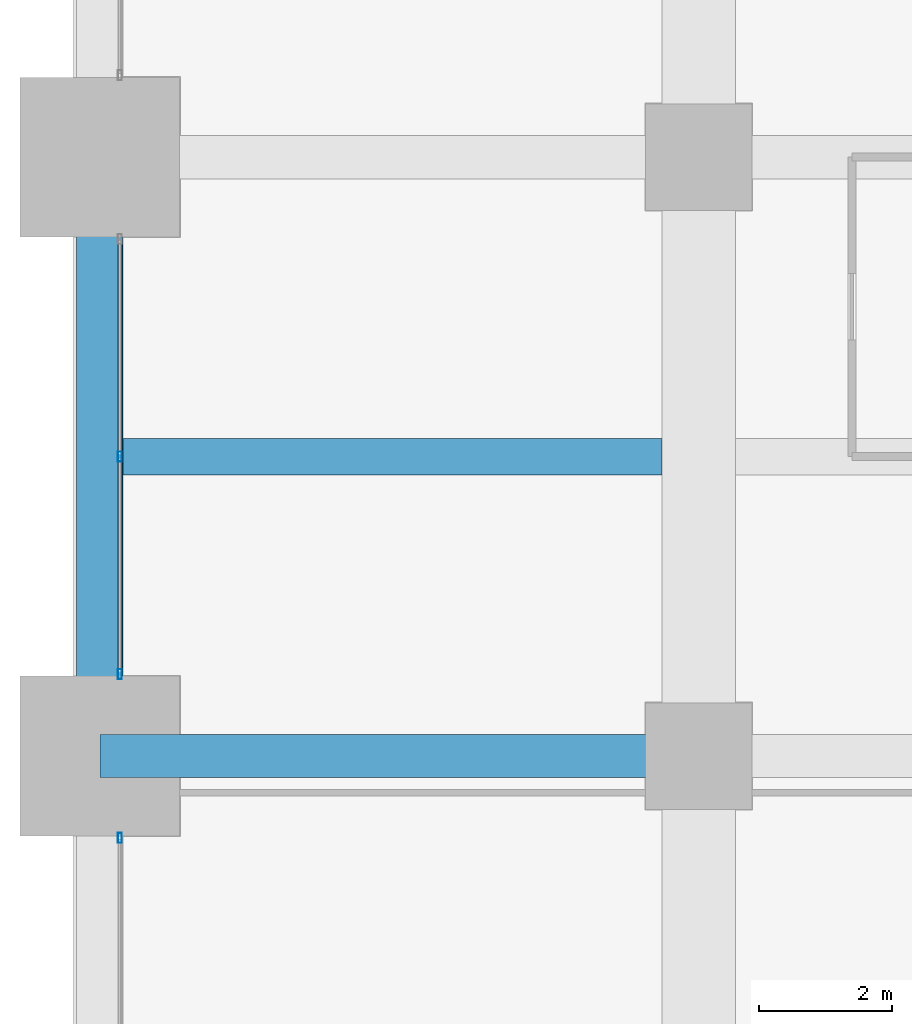
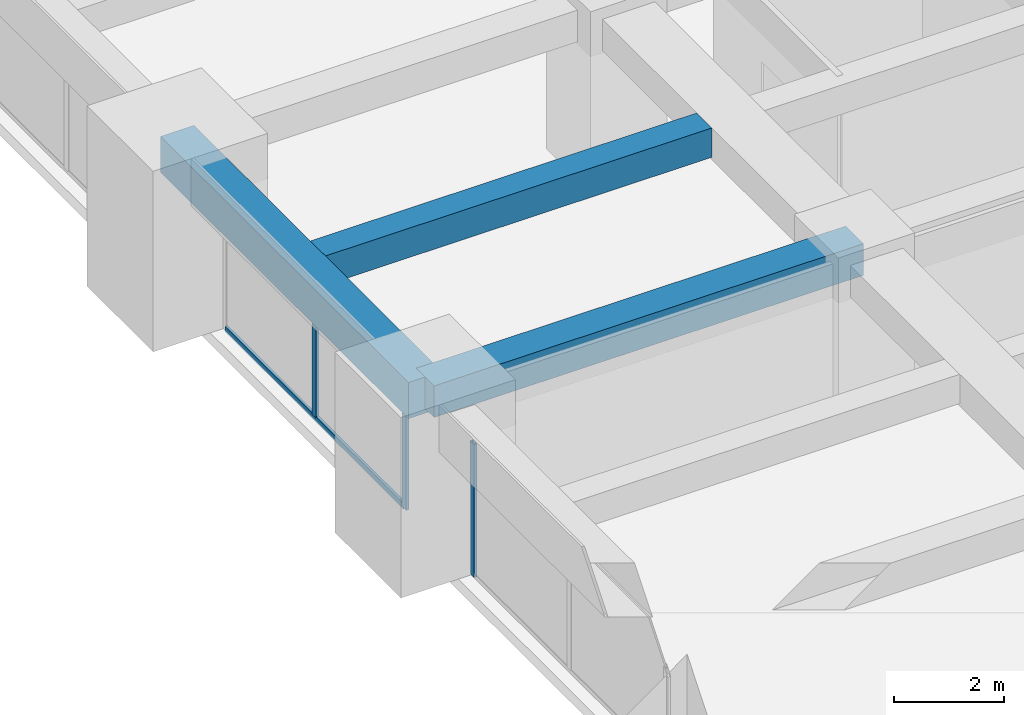
# One storey, part 9 of 34: 4 members, 3 beams, 2 elements without a shape of their own.
"""IFC4 building model written with IfcOpenShell, lengths in metres."""

import ifcopenshell
import ifcopenshell.guid

model = None  # the IFC model being written
_history = None  # IfcOwnerHistory: only IFC2X3 demands one
_inside = {}  # id of a spatial element -> (the spatial element, [elements in it])
_under = {}  # id of a project, library or spatial element -> (it, [spatial elements below it])
_declared = {}  # id of a project -> (the project, [libraries it declares])
_typed = {}  # id of a type object -> (the type object, [elements of that type])
_made_of = {}  # id of a material, layer set ... -> (it, [elements and type objects made of it])


def new_model(schema):
    """Start an empty IFC model of exactly this schema.

    Asked for "IFC4X3", IfcOpenShell would pick the latest addendum, in which some entities
    have other attributes; the version numbers below select the first issue.
    IFC2X3 requires an IfcOwnerHistory on every rooted entity: one is made here for all.
    """
    global model, _history
    if schema == "IFC4X3":
        model = ifcopenshell.file(schema_version=(4, 3, 0, 0))
    else:
        model = ifcopenshell.file(schema=schema)
    _inside.clear()
    _under.clear()
    _declared.clear()
    _typed.clear()
    _made_of.clear()
    _history = None
    if model.schema == "IFC2X3":
        org = make("IfcOrganization", Name="unknown")
        user = make(
            "IfcPersonAndOrganization",
            ThePerson=make("IfcPerson", FamilyName="unknown"),
            TheOrganization=org,
        )
        app = make(
            "IfcApplication",
            ApplicationDeveloper=org,
            Version="unknown",
            ApplicationFullName="unknown",
            ApplicationIdentifier="unknown",
        )
        _history = make(
            "IfcOwnerHistory",
            OwningUser=user,
            OwningApplication=app,
            ChangeAction="ADDED",
            CreationDate=0,
        )
    return model


def make(cls, **values):
    """One entity of the class cls with the attributes given. An attribute that is None is left unset."""
    return model.create_entity(
        cls, **{name: value for name, value in values.items() if value is not None}
    )


def rooted(cls, **values):
    """An entity with a GlobalId (a new one), such as an element, a storey or a relation."""
    return make(cls, GlobalId=ifcopenshell.guid.new(), OwnerHistory=_history, **values)


def si_unit(unit_type, name, prefix=None):
    """IfcSIUnit, for example si_unit("LENGTHUNIT", "METRE", prefix="MILLI")."""
    return make("IfcSIUnit", UnitType=unit_type, Prefix=prefix, Name=name)


def assignment(units):
    """IfcUnitAssignment: the units of a project."""
    return None if units is None else make("IfcUnitAssignment", Units=units)


def point(xyz):
    """IfcCartesianPoint."""
    return None if xyz is None else make("IfcCartesianPoint", Coordinates=xyz)


def direction(xyz):
    """IfcDirection."""
    return None if xyz is None else make("IfcDirection", DirectionRatios=xyz)


def frame(location, z_axis=None, x_axis=None):
    """IfcAxis2Placement3D, a coordinate frame: its origin and axes. An axis left out is left unset."""
    return make(
        "IfcAxis2Placement3D",
        Location=point(location),
        Axis=direction(z_axis),
        RefDirection=direction(x_axis),
    )


def frame_2d(location, x_axis=None):
    """IfcAxis2Placement2D, a coordinate frame in the plane: its origin and x axis."""
    return make(
        "IfcAxis2Placement2D", Location=point(location), RefDirection=direction(x_axis)
    )


def origin():
    """The frame at (0, 0, 0) with its axes left unset."""
    return frame((0.0, 0.0, 0.0))


def origin_2d():
    """The frame at (0, 0) in the plane with its x axis left unset."""
    return frame_2d((0.0, 0.0))


def place(relative_to, where):
    """IfcLocalPlacement: puts the frame where relative to a parent placement (None: the world)."""
    return make(
        "IfcLocalPlacement", PlacementRelTo=relative_to, RelativePlacement=where
    )


def context(
    kind, dimensions, precision=None, world=None, true_north=None, identifier=None
):
    """IfcGeometricRepresentationContext, for example the 3D "Model" context."""
    return make(
        "IfcGeometricRepresentationContext",
        ContextIdentifier=identifier,
        ContextType=kind,
        CoordinateSpaceDimension=dimensions,
        Precision=precision,
        WorldCoordinateSystem=world,
        TrueNorth=true_north,
    )


def subcontext(parent, identifier, kind, view, scale=None):
    """IfcGeometricRepresentationSubContext, for example "Body" below "Model"."""
    return make(
        "IfcGeometricRepresentationSubContext",
        ContextIdentifier=identifier,
        ContextType=kind,
        ParentContext=parent,
        TargetScale=scale,
        TargetView=view,
    )


def project(units=None, contexts=None):
    """IfcProject with its units and contexts."""
    return rooted(
        "IfcProject",
        Name="project",
        RepresentationContexts=contexts,
        UnitsInContext=assignment(units),
    )


def spatial(cls, under=None, at=None, **own):
    """A site, building, storey or space (cls), placed at a placement, below another one or the project."""
    s = rooted(cls, ObjectPlacement=at, **own)
    if under is not None:
        _under.setdefault(under.id(), (under, []))[1].append(s)
    return s


def profile(cls, at=None, kind="AREA", **sizes):
    """A parametric profile (cls). Its sizes go by their IFC names, for example OverallWidth=200.0."""
    return make(cls, ProfileType=kind, Position=at, **sizes)


def rectangle(**sizes):
    """IfcRectangleProfileDef."""
    return profile("IfcRectangleProfileDef", **sizes)


def hollow_rectangle(**sizes):
    """IfcRectangleHollowProfileDef."""
    return profile("IfcRectangleHollowProfileDef", **sizes)


def extrude(swept, where, along, depth):
    """IfcExtrudedAreaSolid: the profile swept, set in the frame where, extruded along a direction by depth."""
    return make(
        "IfcExtrudedAreaSolid",
        SweptArea=swept,
        Position=where,
        ExtrudedDirection=direction(along),
        Depth=depth,
    )


def shape(context_of_items, identifier, shape_type, items):
    """IfcShapeRepresentation: the items that make up one representation, for example the "Body"."""
    return make(
        "IfcShapeRepresentation",
        ContextOfItems=context_of_items,
        RepresentationIdentifier=identifier,
        RepresentationType=shape_type,
        Items=items,
    )


def material(Name=None, Category=None):
    """IfcMaterial."""
    return make("IfcMaterial", Name=Name, Category=Category)


def material_profile(
    of_material, cross_section, Name=None, Category=None, Priority=None
):
    """IfcMaterialProfile: a cross section and its material."""
    return make(
        "IfcMaterialProfile",
        Name=Name,
        Material=of_material,
        Profile=cross_section,
        Priority=Priority,
        Category=Category,
    )


def profile_set(profiles, Name=None, composite=None):
    """IfcMaterialProfileSet."""
    return make(
        "IfcMaterialProfileSet",
        Name=Name,
        MaterialProfiles=profiles,
        CompositeProfile=composite,
    )


def made_of(thing, what):
    """Note that an element or type object is made of a material, layer set ...; save() writes the relation."""
    if what is not None:
        _made_of.setdefault(what.id(), (what, []))[1].append(thing)
    return thing


def type_object(cls, material=None, **own):
    """A type object (cls), such as IfcWallType, which elements share."""
    return made_of(rooted(cls, **own), material)


def element(
    cls,
    number,
    at=None,
    inside=None,
    cuts=None,
    type_object=None,
    material=None,
    context=None,
    identifier="Body",
    shape_type=None,
    held_by="IfcProductDefinitionShape",
    body=None,
    shapes=None,
    **own,
):
    """One element of the class cls, such as IfcWall. Its Tag is "e" and its number.

    at: its placement. inside: the storey or other place that contains it. cuts: it is an
    opening in that element (IfcRelVoidsElement). A single representation is given by context,
    identifier, shape_type and body (its items); several are given by shapes. held_by: the class
    of the entity that holds the representations. save() writes the other relations.
    """
    e = rooted(cls, Tag="e%d" % number, ObjectPlacement=at, **own)
    if body is not None:
        shapes = [shape(context, identifier, shape_type, body)]
    if shapes is not None:
        e.Representation = make(held_by, Representations=shapes)
    if inside is not None:
        _inside.setdefault(inside.id(), (inside, []))[1].append(e)
    if cuts is not None:
        rooted(
            "IfcRelVoidsElement", RelatingBuildingElement=cuts, RelatedOpeningElement=e
        )
    if type_object is not None:
        _typed.setdefault(type_object.id(), (type_object, []))[1].append(e)
    return made_of(e, material)


def aggregate(whole, parts):
    """IfcRelAggregates: a whole, such as a stair, and the parts it consists of."""
    return rooted("IfcRelAggregates", RelatingObject=whole, RelatedObjects=parts)


def save(model, path):
    """Write the relations noted so far, then the file.

    IfcRelAggregates (storeys below a building ...), IfcRelContainedInSpatialStructure (elements
    in a storey), IfcRelDefinesByType, IfcRelAssociatesMaterial and IfcRelDeclares: one each for
    every whole, place, type object, material and project.
    """
    for whole, parts in _under.values():
        aggregate(whole, parts)
    for where, things in _inside.values():
        rooted(
            "IfcRelContainedInSpatialStructure",
            RelatedElements=things,
            RelatingStructure=where,
        )
    for kind, things in _typed.values():
        rooted("IfcRelDefinesByType", RelatedObjects=things, RelatingType=kind)
    for what, things in _made_of.values():
        rooted("IfcRelAssociatesMaterial", RelatedObjects=things, RelatingMaterial=what)
    for by, libraries in _declared.values():
        rooted("IfcRelDeclares", RelatingContext=by, RelatedDefinitions=libraries)
    model.write(path)


model = new_model("IFC4")

# Units and contexts
model_context = context("Model", 3, precision=1e-05, world=origin(), true_north=direction((0.0, 1.0)))
body_context = subcontext(model_context, "Body", "Model", "MODEL_VIEW")
ifc_project = project(units=[si_unit("LENGTHUNIT", "METRE"), si_unit("AREAUNIT", "SQUARE_METRE"), si_unit("VOLUMEUNIT", "CUBIC_METRE"), si_unit("PLANEANGLEUNIT", "RADIAN"), si_unit("MASSUNIT", "GRAM", prefix="KILO")], contexts=[model_context])

# Site, building, storey
site_placement = place(None, origin())
site = spatial("IfcSite", under=ifc_project, at=site_placement, CompositionType="ELEMENT")
building_placement = place(site_placement, origin())
building = spatial("IfcBuilding", under=site, at=building_placement, Name="Zorevar Civic Tower", CompositionType="ELEMENT")
storey_placement = place(building_placement, frame((0.0, 0.0, 174.199951171875)))
storey = spatial("IfcBuildingStorey", under=building, at=storey_placement, Name="L42", CompositionType="ELEMENT", Elevation=174.199951171875)

# Beams
ifc_material_1 = material(Name="Concrete C50/60", Category="concrete")
ifc_material_profile_1 = material_profile(ifc_material_1, rectangle(XDim=0.550048828125, YDim=0.64990234375, at=origin_2d()), Name="RC 550x650")
ifc_profile_set_1 = profile_set([ifc_material_profile_1], Name="Concrete C50/60")
beam_type_1 = type_object("IfcBeamType", Name="Beam RC 550x650", PredefinedType="BEAM", material=ifc_profile_set_1)
beam_1_placement = place(storey_placement, frame((0.35009765625, 22.5, 3.425048828125), z_axis=(1.0, 0.0, 0.0), x_axis=(0.0, 1.0, 0.0)))
element("IfcBeam", 1, at=beam_1_placement, inside=storey, type_object=beam_type_1, Name="Secondary beam L43", PredefinedType="BEAM", context=body_context, shape_type="SweptSolid", body=[
    extrude(rectangle(XDim=0.550048828125, YDim=0.64990234375, at=origin_2d()), origin(), (0.0, 0.0, 1.0), 8.099853515625),
])
ifc_material_2 = material(Name="Concrete C50/60", Category="concrete")
ifc_material_profile_2 = material_profile(ifc_material_2, rectangle(XDim=0.64990234375, YDim=0.699951171875, at=origin_2d()), Name="RC 650x700")
ifc_profile_set_2 = profile_set([ifc_material_profile_2], Name="Concrete C50/60")
beam_type_2 = type_object("IfcBeamType", Name="Beam RC 650x700", PredefinedType="BEAM", material=ifc_profile_set_2)
beam_2_placement = place(storey_placement, frame((0.0, 18.0, 3.400146484375), z_axis=(1.0, 0.0, 0.0), x_axis=(0.0, 1.0, 0.0)))
element("IfcBeam", 2, at=beam_2_placement, inside=storey, type_object=beam_type_2, Name="Girder L43", PredefinedType="BEAM", context=body_context, shape_type="SweptSolid", body=[
    extrude(rectangle(XDim=0.64990234375, YDim=0.699951171875, at=origin_2d()), origin(), (0.0, 0.0, 1.0), 9.0),
])

# Curtain wall, member
ifc_material_3 = material(Name="Dark grey solar-control glass in black aluminium frame", Category="aluminium")
curtain_wall_type = type_object("IfcCurtainWallType", Name="Curtain wall CW4 high zone", PredefinedType="NOTDEFINED", material=ifc_material_3)
curtain_wall_1_placement = place(storey_placement, origin())
curtain_wall_1 = element("IfcCurtainWall", 3, at=curtain_wall_1_placement, inside=storey, type_object=curtain_wall_type, Name="CW4 L42", PredefinedType="NOTDEFINED")
ifc_material_4 = material(Name="Aluminium, black anodised", Category="aluminium")
ifc_material_profile_3 = material_profile(ifc_material_4, hollow_rectangle(XDim=0.06005859375, YDim=0.14990234375, WallThickness=0.00390625, at=origin_2d()), Name="AL 150x60x4")
ifc_profile_set_3 = profile_set([ifc_material_profile_3], Name="Aluminium, black anodised")
member_type_1 = type_object("IfcMemberType", Name="CW4 mullion AL 150x60x4", PredefinedType="MULLION", material=ifc_profile_set_3)
member_1_placement = place(storey_placement, frame((0.300048828125, 16.77001953125, 0.0), z_axis=(0.0, 0.0, 1.0), x_axis=(-1.0, 0.0, 0.0)))
member_1 = element("IfcMember", 4, at=member_1_placement, type_object=member_type_1, Name="CW4 mullion 3", PredefinedType="MULLION", context=body_context, shape_type="SweptSolid", body=[
    extrude(hollow_rectangle(XDim=0.06005859375, YDim=0.14990234375, WallThickness=0.00390625, at=origin_2d()), origin(), (0.0, 0.0, 1.0), 2.949951171875),
])
aggregate(curtain_wall_1, [member_1])

# Curtain wall, members
curtain_wall_2_placement = place(storey_placement, origin())
curtain_wall_2 = element("IfcCurtainWall", 5, at=curtain_wall_2_placement, inside=storey, type_object=curtain_wall_type, Name="CW4 L42", PredefinedType="NOTDEFINED")
member_2_placement = place(storey_placement, frame((0.300048828125, 19.22998046875, 0.0), z_axis=(0.0, 0.0, 1.0), x_axis=(-1.0, 0.0, 0.0)))
member_2 = element("IfcMember", 6, at=member_2_placement, type_object=member_type_1, Name="CW4 mullion 1", PredefinedType="MULLION", context=body_context, shape_type="SweptSolid", body=[
    extrude(hollow_rectangle(XDim=0.06005859375, YDim=0.14990234375, WallThickness=0.00390625, at=origin_2d()), origin(), (0.0, 0.0, 1.0), 2.949951171875),
])
member_3_placement = place(storey_placement, frame((0.300048828125, 22.5, 0.06005859375), z_axis=(0.0, 0.0, 1.0), x_axis=(-1.0, 0.0, 0.0)))
member_3 = element("IfcMember", 7, at=member_3_placement, type_object=member_type_1, Name="CW4 mullion 2", PredefinedType="MULLION", context=body_context, shape_type="SweptSolid", body=[
    extrude(hollow_rectangle(XDim=0.06005859375, YDim=0.14990234375, WallThickness=0.00390625, at=origin_2d()), origin(), (0.0, 0.0, 1.0), 2.889892578125),
])
ifc_material_5 = material(Name="Aluminium, black anodised", Category="aluminium")
ifc_material_profile_4 = material_profile(ifc_material_5, hollow_rectangle(XDim=0.06005859375, YDim=0.1201171875, WallThickness=0.0029296875, at=origin_2d()), Name="AL 120x60x3")
ifc_profile_set_4 = profile_set([ifc_material_profile_4], Name="Aluminium, black anodised")
member_type_2 = type_object("IfcMemberType", Name="CW4 transom AL 120x60x3", PredefinedType="USERDEFINED", material=ifc_profile_set_4)
member_4_placement = place(storey_placement, frame((0.300048828125, 19.260009765625, 0.030029296875), z_axis=(0.0, 1.0, 0.0), x_axis=(-1.0, 0.0, 0.0)))
member_4 = element("IfcMember", 8, at=member_4_placement, type_object=member_type_2, Name="CW4 sill transom", ObjectType="TRANSOM", PredefinedType="USERDEFINED", context=body_context, shape_type="SweptSolid", body=[
    extrude(hollow_rectangle(XDim=0.06005859375, YDim=0.1201171875, WallThickness=0.0029296875, at=origin_2d()), origin(), (0.0, 0.0, 1.0), 6.47998046875),
])
aggregate(curtain_wall_2, [member_2, member_3, member_4])

# Beam
ifc_material_6 = material(Name="Concrete C50/60", Category="concrete")
ifc_material_profile_5 = material_profile(ifc_material_6, rectangle(XDim=0.699951171875, YDim=0.800048828125, at=origin_2d()), Name="RC 700x800")
ifc_profile_set_5 = profile_set([ifc_material_profile_5], Name="Concrete C50/60")
beam_type_3 = type_object("IfcBeamType", Name="Edge beam RC 700x800", PredefinedType="SPANDREL", material=ifc_profile_set_5)
beam_3_placement = place(storey_placement, frame((0.0, 18.0, 3.35009765625), z_axis=(0.0, 1.0, 0.0), x_axis=(-1.0, 0.0, 0.0)))
element("IfcBeam", 9, at=beam_3_placement, inside=storey, type_object=beam_type_3, Name="Edge beam L43", PredefinedType="SPANDREL", context=body_context, shape_type="SweptSolid", body=[
    extrude(rectangle(XDim=0.699951171875, YDim=0.800048828125, at=origin_2d()), origin(), (0.0, 0.0, 1.0), 9.0),
])

save(model, "model.ifc")
